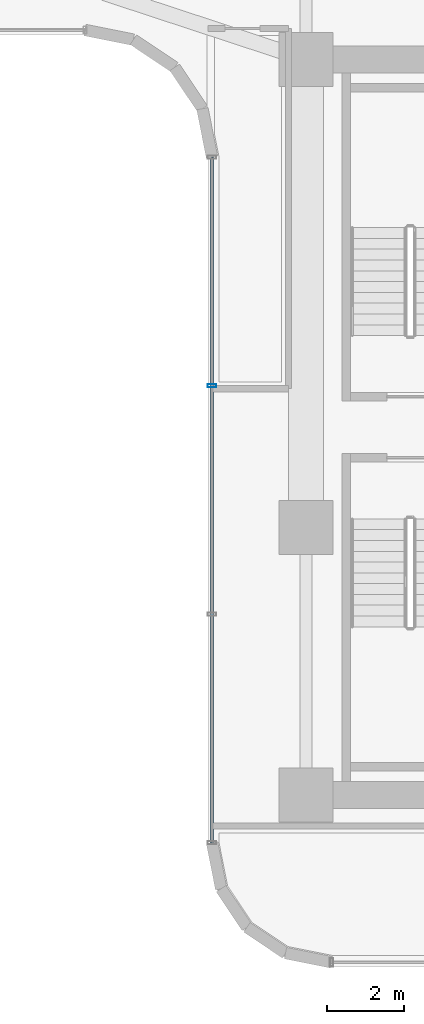
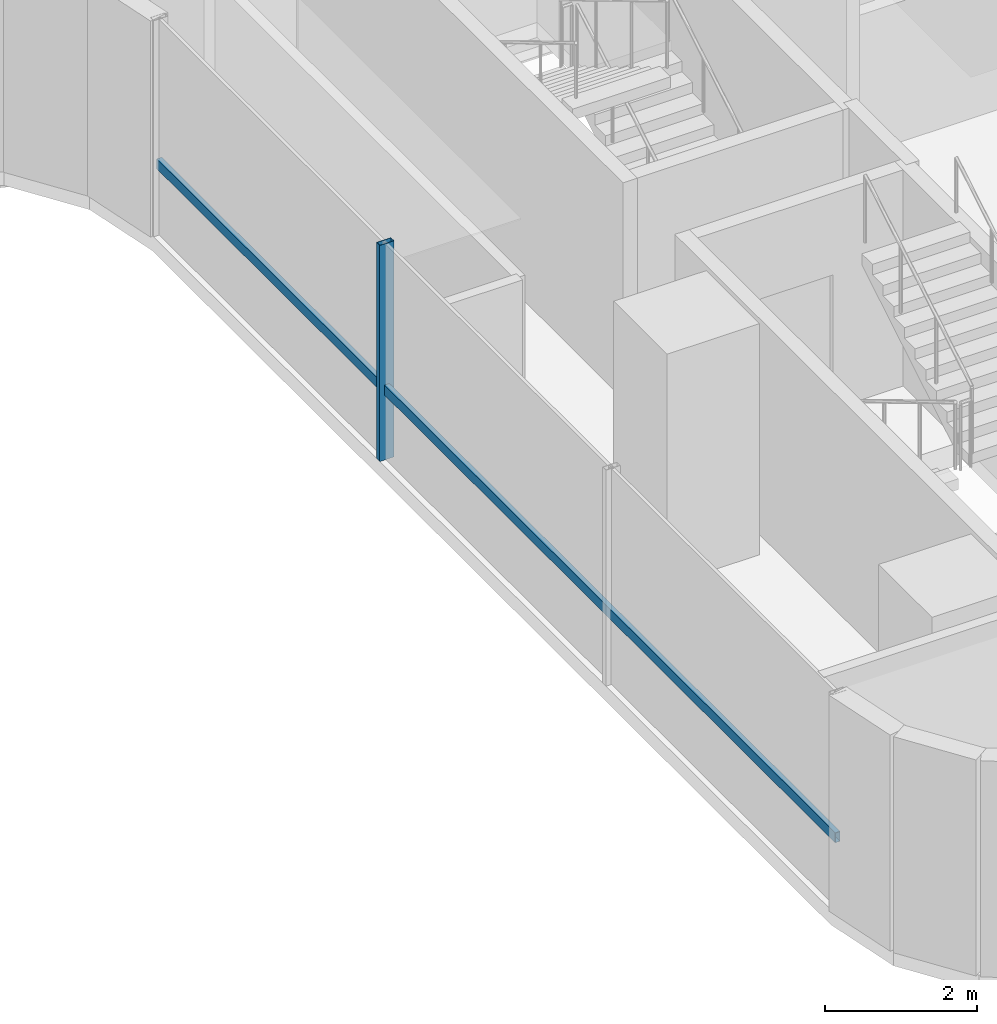
# One storey, part 13 of 39: 2 members, 1 element without a shape of its own.
"""IFC4 building model written with IfcOpenShell, lengths in metres."""

import ifcopenshell
import ifcopenshell.guid

model = None  # the IFC model being written
_history = None  # IfcOwnerHistory: only IFC2X3 demands one
_inside = {}  # id of a spatial element -> (the spatial element, [elements in it])
_under = {}  # id of a project, library or spatial element -> (it, [spatial elements below it])
_declared = {}  # id of a project -> (the project, [libraries it declares])
_typed = {}  # id of a type object -> (the type object, [elements of that type])
_made_of = {}  # id of a material, layer set ... -> (it, [elements and type objects made of it])


def new_model(schema):
    """Start an empty IFC model of exactly this schema.

    Asked for "IFC4X3", IfcOpenShell would pick the latest addendum, in which some entities
    have other attributes; the version numbers below select the first issue.
    IFC2X3 requires an IfcOwnerHistory on every rooted entity: one is made here for all.
    """
    global model, _history
    if schema == "IFC4X3":
        model = ifcopenshell.file(schema_version=(4, 3, 0, 0))
    else:
        model = ifcopenshell.file(schema=schema)
    _inside.clear()
    _under.clear()
    _declared.clear()
    _typed.clear()
    _made_of.clear()
    _history = None
    if model.schema == "IFC2X3":
        org = make("IfcOrganization", Name="unknown")
        user = make(
            "IfcPersonAndOrganization",
            ThePerson=make("IfcPerson", FamilyName="unknown"),
            TheOrganization=org,
        )
        app = make(
            "IfcApplication",
            ApplicationDeveloper=org,
            Version="unknown",
            ApplicationFullName="unknown",
            ApplicationIdentifier="unknown",
        )
        _history = make(
            "IfcOwnerHistory",
            OwningUser=user,
            OwningApplication=app,
            ChangeAction="ADDED",
            CreationDate=0,
        )
    return model


def make(cls, **values):
    """One entity of the class cls with the attributes given. An attribute that is None is left unset."""
    return model.create_entity(
        cls, **{name: value for name, value in values.items() if value is not None}
    )


def rooted(cls, **values):
    """An entity with a GlobalId (a new one), such as an element, a storey or a relation."""
    return make(cls, GlobalId=ifcopenshell.guid.new(), OwnerHistory=_history, **values)


def si_unit(unit_type, name, prefix=None):
    """IfcSIUnit, for example si_unit("LENGTHUNIT", "METRE", prefix="MILLI")."""
    return make("IfcSIUnit", UnitType=unit_type, Prefix=prefix, Name=name)


def assignment(units):
    """IfcUnitAssignment: the units of a project."""
    return None if units is None else make("IfcUnitAssignment", Units=units)


def point(xyz):
    """IfcCartesianPoint."""
    return None if xyz is None else make("IfcCartesianPoint", Coordinates=xyz)


def direction(xyz):
    """IfcDirection."""
    return None if xyz is None else make("IfcDirection", DirectionRatios=xyz)


def frame(location, z_axis=None, x_axis=None):
    """IfcAxis2Placement3D, a coordinate frame: its origin and axes. An axis left out is left unset."""
    return make(
        "IfcAxis2Placement3D",
        Location=point(location),
        Axis=direction(z_axis),
        RefDirection=direction(x_axis),
    )


def frame_2d(location, x_axis=None):
    """IfcAxis2Placement2D, a coordinate frame in the plane: its origin and x axis."""
    return make(
        "IfcAxis2Placement2D", Location=point(location), RefDirection=direction(x_axis)
    )


def origin():
    """The frame at (0, 0, 0) with its axes left unset."""
    return frame((0.0, 0.0, 0.0))


def origin_2d():
    """The frame at (0, 0) in the plane with its x axis left unset."""
    return frame_2d((0.0, 0.0))


def place(relative_to, where):
    """IfcLocalPlacement: puts the frame where relative to a parent placement (None: the world)."""
    return make(
        "IfcLocalPlacement", PlacementRelTo=relative_to, RelativePlacement=where
    )


def context(
    kind, dimensions, precision=None, world=None, true_north=None, identifier=None
):
    """IfcGeometricRepresentationContext, for example the 3D "Model" context."""
    return make(
        "IfcGeometricRepresentationContext",
        ContextIdentifier=identifier,
        ContextType=kind,
        CoordinateSpaceDimension=dimensions,
        Precision=precision,
        WorldCoordinateSystem=world,
        TrueNorth=true_north,
    )


def subcontext(parent, identifier, kind, view, scale=None):
    """IfcGeometricRepresentationSubContext, for example "Body" below "Model"."""
    return make(
        "IfcGeometricRepresentationSubContext",
        ContextIdentifier=identifier,
        ContextType=kind,
        ParentContext=parent,
        TargetScale=scale,
        TargetView=view,
    )


def project(units=None, contexts=None):
    """IfcProject with its units and contexts."""
    return rooted(
        "IfcProject",
        Name="project",
        RepresentationContexts=contexts,
        UnitsInContext=assignment(units),
    )


def spatial(cls, under=None, at=None, **own):
    """A site, building, storey or space (cls), placed at a placement, below another one or the project."""
    s = rooted(cls, ObjectPlacement=at, **own)
    if under is not None:
        _under.setdefault(under.id(), (under, []))[1].append(s)
    return s


def profile(cls, at=None, kind="AREA", **sizes):
    """A parametric profile (cls). Its sizes go by their IFC names, for example OverallWidth=200.0."""
    return make(cls, ProfileType=kind, Position=at, **sizes)


def hollow_rectangle(**sizes):
    """IfcRectangleHollowProfileDef."""
    return profile("IfcRectangleHollowProfileDef", **sizes)


def extrude(swept, where, along, depth):
    """IfcExtrudedAreaSolid: the profile swept, set in the frame where, extruded along a direction by depth."""
    return make(
        "IfcExtrudedAreaSolid",
        SweptArea=swept,
        Position=where,
        ExtrudedDirection=direction(along),
        Depth=depth,
    )


def shape(context_of_items, identifier, shape_type, items):
    """IfcShapeRepresentation: the items that make up one representation, for example the "Body"."""
    return make(
        "IfcShapeRepresentation",
        ContextOfItems=context_of_items,
        RepresentationIdentifier=identifier,
        RepresentationType=shape_type,
        Items=items,
    )


def source(mapping_origin, context_of_items, identifier, shape_type, items):
    """IfcRepresentationMap: a shape defined once, which mapped items show again and again."""
    return make(
        "IfcRepresentationMap",
        MappingOrigin=mapping_origin,
        MappedRepresentation=shape(context_of_items, identifier, shape_type, items),
    )


def transform(
    local_origin,
    x_axis=None,
    y_axis=None,
    z_axis=None,
    scale=None,
    scale2=None,
    scale3=None,
    uniform=True,
):
    """IfcCartesianTransformationOperator3D, or its non-uniform kind. x_axis, y_axis, z_axis: its Axis1, 2, 3."""
    if uniform:
        return make(
            "IfcCartesianTransformationOperator3D",
            Axis1=direction(x_axis),
            Axis2=direction(y_axis),
            LocalOrigin=point(local_origin),
            Scale=scale,
            Axis3=direction(z_axis),
        )
    return make(
        "IfcCartesianTransformationOperator3DnonUniform",
        Axis1=direction(x_axis),
        Axis2=direction(y_axis),
        LocalOrigin=point(local_origin),
        Scale=scale,
        Axis3=direction(z_axis),
        Scale2=scale2,
        Scale3=scale3,
    )


def mapped(mapping_source, mapping_target):
    """IfcMappedItem: shows the shape of a source again, moved by a transform."""
    return make(
        "IfcMappedItem", MappingSource=mapping_source, MappingTarget=mapping_target
    )


def material(Name=None, Category=None):
    """IfcMaterial."""
    return make("IfcMaterial", Name=Name, Category=Category)


def material_profile(
    of_material, cross_section, Name=None, Category=None, Priority=None
):
    """IfcMaterialProfile: a cross section and its material."""
    return make(
        "IfcMaterialProfile",
        Name=Name,
        Material=of_material,
        Profile=cross_section,
        Priority=Priority,
        Category=Category,
    )


def profile_set(profiles, Name=None, composite=None):
    """IfcMaterialProfileSet."""
    return make(
        "IfcMaterialProfileSet",
        Name=Name,
        MaterialProfiles=profiles,
        CompositeProfile=composite,
    )


def made_of(thing, what):
    """Note that an element or type object is made of a material, layer set ...; save() writes the relation."""
    if what is not None:
        _made_of.setdefault(what.id(), (what, []))[1].append(thing)
    return thing


def type_object(cls, material=None, **own):
    """A type object (cls), such as IfcWallType, which elements share."""
    return made_of(rooted(cls, **own), material)


def element(
    cls,
    number,
    at=None,
    inside=None,
    cuts=None,
    type_object=None,
    material=None,
    context=None,
    identifier="Body",
    shape_type=None,
    held_by="IfcProductDefinitionShape",
    body=None,
    shapes=None,
    **own,
):
    """One element of the class cls, such as IfcWall. Its Tag is "e" and its number.

    at: its placement. inside: the storey or other place that contains it. cuts: it is an
    opening in that element (IfcRelVoidsElement). A single representation is given by context,
    identifier, shape_type and body (its items); several are given by shapes. held_by: the class
    of the entity that holds the representations. save() writes the other relations.
    """
    e = rooted(cls, Tag="e%d" % number, ObjectPlacement=at, **own)
    if body is not None:
        shapes = [shape(context, identifier, shape_type, body)]
    if shapes is not None:
        e.Representation = make(held_by, Representations=shapes)
    if inside is not None:
        _inside.setdefault(inside.id(), (inside, []))[1].append(e)
    if cuts is not None:
        rooted(
            "IfcRelVoidsElement", RelatingBuildingElement=cuts, RelatedOpeningElement=e
        )
    if type_object is not None:
        _typed.setdefault(type_object.id(), (type_object, []))[1].append(e)
    return made_of(e, material)


def aggregate(whole, parts):
    """IfcRelAggregates: a whole, such as a stair, and the parts it consists of."""
    return rooted("IfcRelAggregates", RelatingObject=whole, RelatedObjects=parts)


def save(model, path):
    """Write the relations noted so far, then the file.

    IfcRelAggregates (storeys below a building ...), IfcRelContainedInSpatialStructure (elements
    in a storey), IfcRelDefinesByType, IfcRelAssociatesMaterial and IfcRelDeclares: one each for
    every whole, place, type object, material and project.
    """
    for whole, parts in _under.values():
        aggregate(whole, parts)
    for where, things in _inside.values():
        rooted(
            "IfcRelContainedInSpatialStructure",
            RelatedElements=things,
            RelatingStructure=where,
        )
    for kind, things in _typed.values():
        rooted("IfcRelDefinesByType", RelatedObjects=things, RelatingType=kind)
    for what, things in _made_of.values():
        rooted("IfcRelAssociatesMaterial", RelatedObjects=things, RelatingMaterial=what)
    for by, libraries in _declared.values():
        rooted("IfcRelDeclares", RelatingContext=by, RelatedDefinitions=libraries)
    model.write(path)


model = new_model("IFC4")

# Units and contexts
model_context = context("Model", 3, precision=1e-05, world=origin(), true_north=direction((0.0, 1.0)))
body_context = subcontext(model_context, "Body", "Model", "MODEL_VIEW")
ifc_project = project(units=[si_unit("LENGTHUNIT", "METRE"), si_unit("AREAUNIT", "SQUARE_METRE"), si_unit("VOLUMEUNIT", "CUBIC_METRE"), si_unit("PLANEANGLEUNIT", "RADIAN"), si_unit("MASSUNIT", "GRAM", prefix="KILO")], contexts=[model_context])

# Site, building, storey
site_placement = place(None, origin())
site = spatial("IfcSite", under=ifc_project, at=site_placement, CompositionType="ELEMENT")
building_placement = place(site_placement, origin())
building = spatial("IfcBuilding", under=site, at=building_placement, Name="Valdorenza Pilgrim Sanctuary Tower", CompositionType="ELEMENT")
storey_placement = place(building_placement, frame((0.0, 0.0, 74.10009765625)))
storey = spatial("IfcBuildingStorey", under=building, at=storey_placement, Name="L18", CompositionType="ELEMENT", Elevation=74.10009765625)

# Curtain wall, members
ifc_material_1 = material(Name="Curtain-wall IGU glazing", Category="glass")
curtain_wall_type = type_object("IfcCurtainWallType", Name="CW-SYS-03", PredefinedType="NOTDEFINED", material=ifc_material_1)
curtain_wall_placement = place(storey_placement, origin())
curtain_wall = element("IfcCurtainWall", 1, at=curtain_wall_placement, inside=storey, type_object=curtain_wall_type, Name="L18 Curtain Wall CW-L18-1-31", PredefinedType="NOTDEFINED")
ifc_material_2 = material(Name="Anodised aluminium AW-6060", Category="aluminium")
ifc_material_profile_1 = material_profile(ifc_material_2, hollow_rectangle(XDim=0.0849609375, YDim=0.219970703125, WallThickness=0.0048828125, at=origin_2d()), Name="ALU-M 220x85x5")
ifc_profile_set_1 = profile_set([ifc_material_profile_1], Name="Anodised aluminium AW-6060")
member_type_1 = type_object("IfcMemberType", Name="CW-MUL-03", PredefinedType="MULLION", material=ifc_profile_set_1)
shared_shape_1 = source(origin(), body_context, "Body", "SweptSolid", [
    extrude(hollow_rectangle(XDim=0.0849609375, YDim=0.219970703125, WallThickness=0.0048828125, at=origin_2d()), origin(), (0.0, 0.0, 1.0), 3.4599609375),
])
member_1_placement = place(storey_placement, frame((13.409912109375, 1.077392578125, 0.0), z_axis=(0.0, 0.0, 1.0), x_axis=(0.0, 1.0, 0.0)))
member_1 = element("IfcMember", 2, at=member_1_placement, type_object=member_type_1, Name="CW-L18-1-31 Mullion 3", PredefinedType="MULLION", context=body_context, shape_type="MappedRepresentation", body=[
    mapped(shared_shape_1, transform((0.0, 0.0, 0.0), x_axis=(1.0, 0.0, 0.0), y_axis=(0.0, 1.0, 0.0), z_axis=(0.0, 0.0, 1.0), scale=1.0)),
])
ifc_material_profile_2 = material_profile(ifc_material_2, hollow_rectangle(XDim=0.074951171875, YDim=0.159912109375, WallThickness=0.00390625, at=origin_2d()), Name="ALU-T 160x75x4")
ifc_profile_set_2 = profile_set([ifc_material_profile_2], Name="Anodised aluminium AW-6060")
member_type_2 = type_object("IfcMemberType", Name="CW-TRN-03", PredefinedType="USERDEFINED", material=ifc_profile_set_2)
shared_shape_2 = source(origin(), body_context, "Body", "SweptSolid", [
    extrude(hollow_rectangle(XDim=0.074951171875, YDim=0.159912109375, WallThickness=0.00390625, at=origin_2d()), origin(), (0.0, 0.0, 1.0), 17.800048828125),
])
member_2_placement = place(storey_placement, frame((13.409912109375, -10.789306640625, 1.119873046875), z_axis=(0.0, 1.0, 0.0), x_axis=(-1.0, 0.0, 0.0)))
member_2 = element("IfcMember", 3, at=member_2_placement, type_object=member_type_2, Name="CW-L18-1-31 Transom 1", ObjectType="TRANSOM", PredefinedType="USERDEFINED", context=body_context, shape_type="MappedRepresentation", body=[
    mapped(shared_shape_2, transform((0.0, 0.0, 0.0), x_axis=(1.0, 0.0, 0.0), y_axis=(0.0, 1.0, 0.0), z_axis=(0.0, 0.0, 1.0), scale=1.0)),
])
aggregate(curtain_wall, [member_1, member_2])

save(model, "model.ifc")
